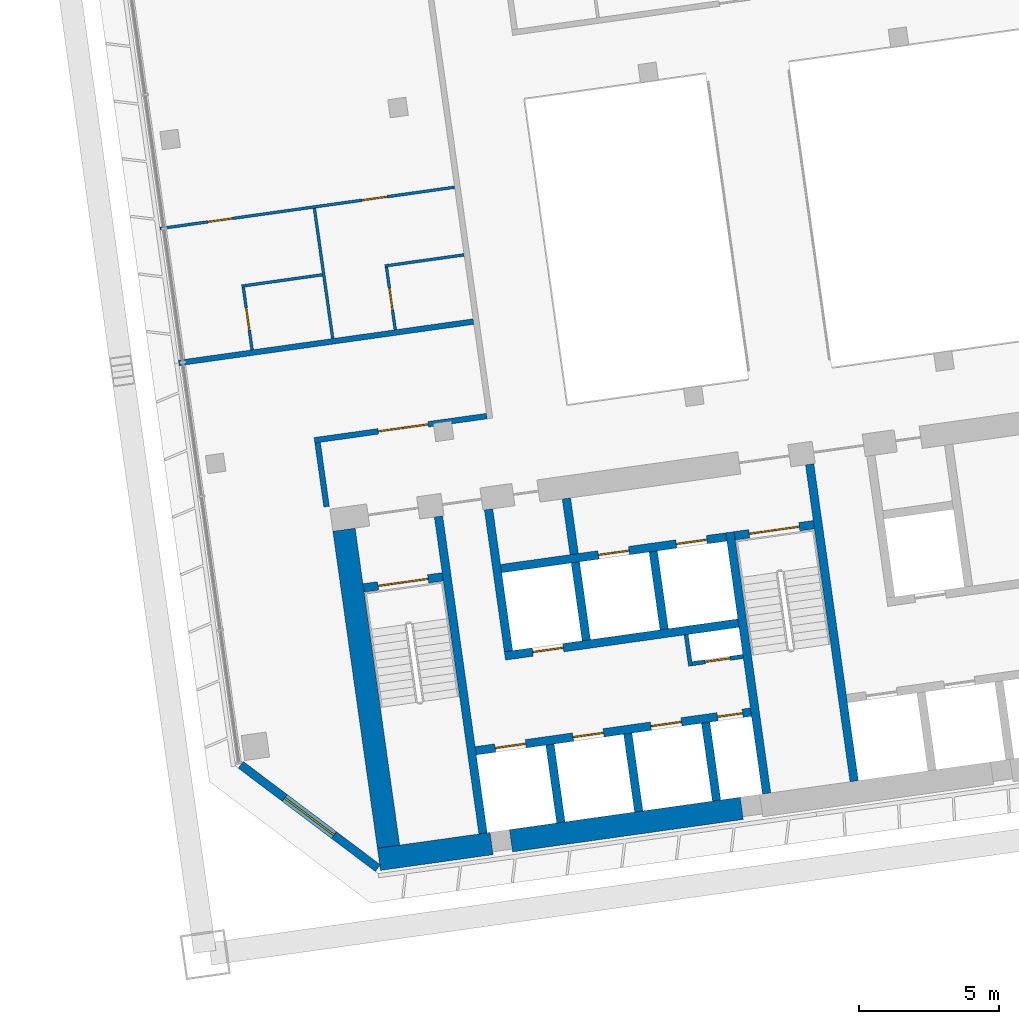
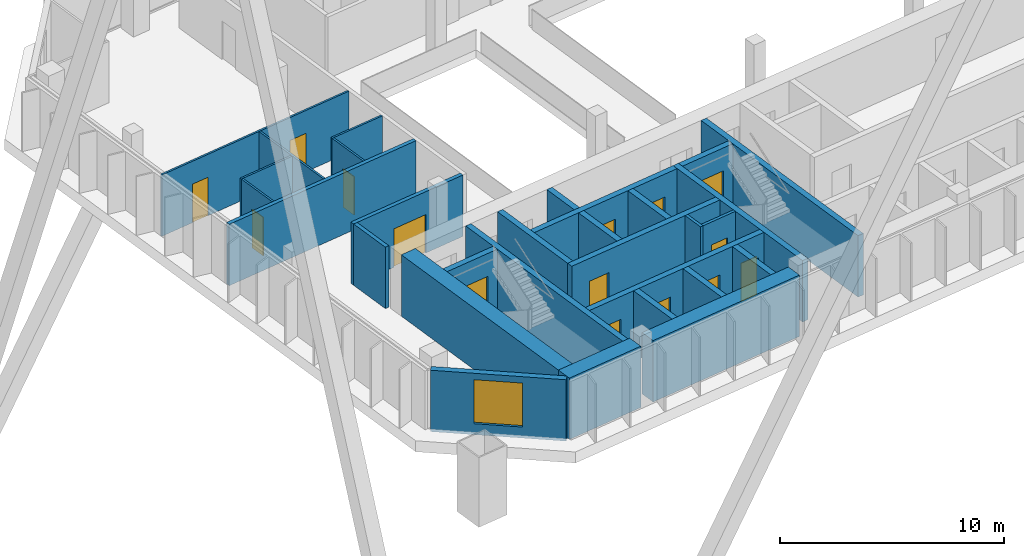
# One storey, part 34 of 41: 30 walls, 15 doors, 1 window, 16 openings.
"""IFC4 building model written with IfcOpenShell, lengths in metres."""

from ifc_helpers import new_model, si_unit, direction, frame, frame_2d, origin, place, context, subcontext, project, spatial, rectangle, extrude, material, layer, layer_set, type_object, element, fill, save


model = new_model("IFC4")

# Units and contexts
model_context = context("Model", 3, precision=1e-05, world=origin(), true_north=direction((0.0, 1.0)))
body_context = subcontext(model_context, "Body", "Model", "MODEL_VIEW")
ifc_project = project(units=[si_unit("LENGTHUNIT", "METRE"), si_unit("AREAUNIT", "SQUARE_METRE"), si_unit("VOLUMEUNIT", "CUBIC_METRE"), si_unit("PLANEANGLEUNIT", "RADIAN"), si_unit("MASSUNIT", "GRAM", prefix="KILO")], contexts=[model_context])

# Site, building, storey
site_placement = place(None, origin())
site = spatial("IfcSite", under=ifc_project, at=site_placement, CompositionType="ELEMENT")
building_placement = place(site_placement, origin())
building = spatial("IfcBuilding", under=site, at=building_placement, Name="Mirante Cascada Hotel Towers", CompositionType="ELEMENT")
storey_placement = place(building_placement, frame((0.0, 0.0, 125.3)))
storey = spatial("IfcBuildingStorey", under=building, at=storey_placement, Name="L28", CompositionType="ELEMENT", Elevation=125.3)

# Wall, opening, door
ifc_material_1 = material(Name="Fire-rated plasterboard on metal studs")
ifc_layer_1 = layer(ifc_material_1, 0.2)
ifc_layer_set_1 = layer_set([ifc_layer_1], Name="Compartment wall 200 EI 120")
wall_type_1 = type_object("IfcWallType", Name="Compartment wall 200 EI 120", PredefinedType="PARTITIONING", material=ifc_layer_set_1)
wall_1_placement = place(storey_placement, frame((34.8304, -4.7545, 0.0), z_axis=(0.0, 0.0, 1.0), x_axis=(0.9902695, 0.1391629, 0.0)))
wall_1 = element("IfcWall", 1, at=wall_1_placement, inside=storey, type_object=wall_type_1, Name="Wall 2-L28-03", PredefinedType="PARTITIONING", context=body_context, shape_type="SweptSolid", body=[
    extrude(rectangle(XDim=6.1999, YDim=0.2, at=frame_2d((3.1, 0.0))), origin(), (0.0, 0.0, 1.0), 3.35),
])
opening_1_placement = place(wall_1_placement, frame((2.3, 0.0, 0.0)))
opening_1 = element("IfcOpeningElement", 2, at=opening_1_placement, cuts=wall_1, Name="Opening D2-L28-01", PredefinedType="OPENING", context=body_context, shape_type="SweptSolid", body=[
    extrude(rectangle(XDim=1.8, YDim=2.1, at=frame_2d((0.9, 1.05))), frame((0.0, 0.1, 0.0), z_axis=(0.0, -1.0, 0.0), x_axis=(1.0, 0.0, 0.0)), (0.0, 0.0, 1.0), 0.2),
])
ifc_material_2 = material(Name="Fire-rated timber door leaf", Category="wood")
door_type_1 = type_object("IfcDoorType", Name="Suite double door DG2 1800x2100 EI 60", OperationType="DOUBLE_DOOR_SINGLE_SWING", PredefinedType="DOOR", material=ifc_material_2)
door_1_placement = place(opening_1_placement, origin())
door_1 = element("IfcDoor", 3, at=door_1_placement, inside=storey, type_object=door_type_1, Name="Door D2-L28-01", OperationType="DOUBLE_DOOR_SINGLE_SWING", OverallHeight=2.1, OverallWidth=1.8, PredefinedType="DOOR", context=body_context, shape_type="SweptSolid", body=[
    extrude(rectangle(XDim=0.895, YDim=2.1, at=frame_2d((0.4475, 1.05))), frame((0.0, 0.025, 0.0), z_axis=(0.0, -1.0, 0.0), x_axis=(1.0, 0.0, 0.0)), (0.0, 0.0, 1.0), 0.05),
    extrude(rectangle(XDim=0.895, YDim=2.1, at=frame_2d((1.3525, 1.05))), frame((0.0, 0.025, 0.0), z_axis=(0.0, -1.0, 0.0), x_axis=(1.0, 0.0, 0.0)), (0.0, 0.0, 1.0), 0.05),
])
fill(opening_1, door_1)

# Walls
wall_2_placement = place(storey_placement, frame((40.4968, -0.5248, 0.0), z_axis=(0.0, 0.0, 1.0), x_axis=(-0.9902684, -0.1391704, 0.0)))
element("IfcWall", 4, at=wall_2_placement, inside=storey, type_object=wall_type_1, Name="Wall 2-L28-04", PredefinedType="PARTITIONING", context=body_context, shape_type="SweptSolid", body=[
    extrude(rectangle(XDim=10.6, YDim=0.2, at=frame_2d((5.3, 0.0))), origin(), (0.0, 0.0, 1.0), 3.35),
])
wall_3_placement = place(storey_placement, frame((34.9433, -4.8397, 0.0), z_axis=(0.0, 0.0, 1.0), x_axis=(0.1391749, -0.9902678, 0.0)))
element("IfcWall", 5, at=wall_3_placement, inside=storey, type_object=wall_type_1, Name="Wall 2-L28-24", PredefinedType="PARTITIONING", context=body_context, shape_type="SweptSolid", body=[
    extrude(rectangle(XDim=2.3, YDim=0.2, at=frame_2d((1.15, 0.0))), origin(), (0.0, 0.0, 1.0), 3.35),
])
ifc_material_3 = material(Name="Masonry block", Category="masonry")
ifc_layer_2 = layer(ifc_material_3, 0.15)
ifc_layer_set_2 = layer_set([ifc_layer_2], Name="Core room partition 150 block EI 30")
wall_type_2 = type_object("IfcWallType", Name="Core room partition 150 block EI 30", PredefinedType="PARTITIONING", material=ifc_layer_set_2)
wall_4_placement = place(storey_placement, frame((48.2295, -12.793, 0.0), z_axis=(0.0, 0.0, 1.0), x_axis=(-0.1391935, 0.9902652, 0.0)))
element("IfcWall", 6, at=wall_4_placement, inside=storey, type_object=wall_type_2, Name="Core wall partition T2 L28 2", PredefinedType="PARTITIONING", context=body_context, shape_type="SweptSolid", body=[
    extrude(rectangle(XDim=1.1251, YDim=0.15, at=frame_2d((0.5626, 0.0))), origin(), (0.0, 0.0, 1.0), 3.35),
])

# Wall, opening, door
wall_5_placement = place(storey_placement, frame((48.2933, -12.7083, 0.0), z_axis=(0.0, 0.0, 1.0), x_axis=(0.990268, 0.1391734, 0.0)))
wall_5 = element("IfcWall", 7, at=wall_5_placement, inside=storey, type_object=wall_type_2, Name="Core wall partition T2 L28 3", PredefinedType="PARTITIONING", context=body_context, shape_type="SweptSolid", body=[
    extrude(rectangle(XDim=1.8251, YDim=0.15, at=frame_2d((0.9126, 0.0))), origin(), (0.0, 0.0, 1.0), 3.35),
])
opening_2_placement = place(wall_5_placement, frame((0.4625, 0.0, 0.0)))
opening_2 = element("IfcOpeningElement", 8, at=opening_2_placement, cuts=wall_5, Name="Opening D2-28-C23", PredefinedType="OPENING", context=body_context, shape_type="SweptSolid", body=[
    extrude(rectangle(XDim=0.9, YDim=2.1, at=frame_2d((0.45, 1.05))), frame((0.0, 0.075, 0.0), z_axis=(0.0, -1.0, 0.0), x_axis=(1.0, 0.0, 0.0)), (0.0, 0.0, 1.0), 0.15),
])
ifc_material_4 = material(Name="Hollow metal fire door leaf")
door_type_2 = type_object("IfcDoorType", Name="Fire door 900x2100 FD60", OperationType="NOTDEFINED", PredefinedType="DOOR", material=ifc_material_4)
door_2_placement = place(opening_2_placement, frame((0.9, 0.0, 0.0), z_axis=(0.0, 0.0, 1.0), x_axis=(-1.0, 0.0, 0.0)))
door_2 = element("IfcDoor", 9, at=door_2_placement, inside=storey, type_object=door_type_2, Name="Riser door T2 L28 23", OperationType="SINGLE_SWING_RIGHT", OverallHeight=2.1, OverallWidth=0.9, PredefinedType="DOOR", context=body_context, shape_type="SweptSolid", body=[
    extrude(rectangle(XDim=0.9, YDim=2.1, at=frame_2d((0.45, 1.05))), frame((0.0, 0.025, 0.0), z_axis=(0.0, -1.0, 0.0), x_axis=(1.0, 0.0, 0.0)), (0.0, 0.0, 1.0), 0.05),
])
fill(opening_2, door_2)

# Walls
ifc_material_5 = material(Name="Masonry block", Category="masonry")
ifc_layer_3 = layer(ifc_material_5, 0.3)
ifc_layer_set_3 = layer_set([ifc_layer_3], Name="Core wall 300 block EI 120")
wall_type_3 = type_object("IfcWallType", Name="Core wall 300 block EI 120", PredefinedType="PARTITIONING", material=ifc_layer_set_3)
wall_6_placement = place(storey_placement, frame((44.0843, -8.8061, 0.0), z_axis=(0.0, 0.0, 1.0), x_axis=(-0.1391951, 0.990265, 0.0)))
element("IfcWall", 10, at=wall_6_placement, inside=storey, type_object=wall_type_3, Name="Core wall partition T2 L28 1", PredefinedType="PARTITIONING", context=body_context, shape_type="SweptSolid", body=[
    extrude(rectangle(XDim=2.0001, YDim=0.3, at=frame_2d((1.0001, 0.0))), origin(), (0.0, 0.0, 1.0), 3.35),
])
ifc_material_6 = material(Name="Plasterboard on metal studs")
ifc_layer_4 = layer(ifc_material_6, 0.1)
ifc_layer_set_4 = layer_set([ifc_layer_4], Name="Partition 100")
wall_type_4 = type_object("IfcWallType", Name="Partition 100", PredefinedType="PARTITIONING", material=ifc_layer_set_4)
wall_7_placement = place(storey_placement, frame((32.2407, 0.7385, 0.0), z_axis=(0.0, 0.0, 1.0), x_axis=(0.9902683, 0.1391714, 0.0)))
element("IfcWall", 11, at=wall_7_placement, inside=storey, type_object=wall_type_4, Name="Wall 2-L28-05", PredefinedType="PARTITIONING", context=body_context, shape_type="SweptSolid", body=[
    extrude(rectangle(XDim=2.9, YDim=0.1, at=frame_2d((1.45, 0.0))), origin(), (0.0, 0.0, 1.0), 3.35),
])
wall_8_placement = place(storey_placement, frame((40.1628, 1.8519, 0.0), z_axis=(0.0, 0.0, 1.0), x_axis=(-0.9902649, -0.1391957, 0.0)))
element("IfcWall", 12, at=wall_8_placement, inside=storey, type_object=wall_type_4, Name="Wall 2-L28-06", PredefinedType="PARTITIONING", context=body_context, shape_type="SweptSolid", body=[
    extrude(rectangle(XDim=2.8499, YDim=0.1, at=frame_2d((1.425, 0.0))), origin(), (0.0, 0.0, 1.0), 3.35),
])

# Wall, openings, doors
wall_9_placement = place(storey_placement, frame((29.3273, 2.7863, 0.0), z_axis=(0.0, 0.0, 1.0), x_axis=(0.9902686, 0.1391691, 0.0)))
wall_9 = element("IfcWall", 13, at=wall_9_placement, inside=storey, type_object=wall_type_4, Name="Wall 2-L28-07", PredefinedType="PARTITIONING", context=body_context, shape_type="SweptSolid", body=[
    extrude(rectangle(XDim=10.6001, YDim=0.1, at=frame_2d((5.3, 0.0))), origin(), (0.0, 0.0, 1.0), 3.35),
])
opening_3_placement = place(wall_9_placement, frame((1.725, 0.0, 0.0)))
opening_3 = element("IfcOpeningElement", 14, at=opening_3_placement, cuts=wall_9, Name="Opening D2-L28-02", PredefinedType="OPENING", context=body_context, shape_type="SweptSolid", body=[
    extrude(rectangle(XDim=0.9, YDim=2.1, at=frame_2d((0.45, 1.05))), frame((0.0, 0.05, 0.0), z_axis=(0.0, -1.0, 0.0), x_axis=(1.0, 0.0, 0.0)), (0.0, 0.0, 1.0), 0.1),
])
opening_4_placement = place(wall_9_placement, frame((7.275, 0.0, 0.0)))
opening_4 = element("IfcOpeningElement", 15, at=opening_4_placement, cuts=wall_9, Name="Opening D2-L28-03", PredefinedType="OPENING", context=body_context, shape_type="SweptSolid", body=[
    extrude(rectangle(XDim=0.9, YDim=2.1, at=frame_2d((0.45, 1.05))), frame((0.0, 0.05, 0.0), z_axis=(0.0, -1.0, 0.0), x_axis=(1.0, 0.0, 0.0)), (0.0, 0.0, 1.0), 0.1),
])
ifc_material_7 = material(Name="Timber door leaf", Category="wood")
door_type_3 = type_object("IfcDoorType", Name="Room door DG3 900x2100", OperationType="SINGLE_SWING_LEFT", PredefinedType="DOOR", material=ifc_material_7)
door_3_placement = place(opening_3_placement, origin())
door_3 = element("IfcDoor", 16, at=door_3_placement, inside=storey, type_object=door_type_3, Name="Door D2-L28-02", OperationType="SINGLE_SWING_LEFT", OverallHeight=2.1, OverallWidth=0.9, PredefinedType="DOOR", context=body_context, shape_type="SweptSolid", body=[
    extrude(rectangle(XDim=0.9, YDim=2.1, at=frame_2d((0.45, 1.05))), frame((0.0, 0.025, 0.0), z_axis=(0.0, -1.0, 0.0), x_axis=(1.0, 0.0, 0.0)), (0.0, 0.0, 1.0), 0.05),
])
fill(opening_3, door_3)
door_4_placement = place(opening_4_placement, origin())
door_4 = element("IfcDoor", 17, at=door_4_placement, inside=storey, type_object=door_type_3, Name="Door D2-L28-03", OperationType="SINGLE_SWING_LEFT", OverallHeight=2.1, OverallWidth=0.9, PredefinedType="DOOR", context=body_context, shape_type="SweptSolid", body=[
    extrude(rectangle(XDim=0.9, YDim=2.1, at=frame_2d((0.45, 1.05))), frame((0.0, 0.025, 0.0), z_axis=(0.0, -1.0, 0.0), x_axis=(1.0, 0.0, 0.0)), (0.0, 0.0, 1.0), 0.05),
])
fill(opening_4, door_4)

# Wall, opening, door
wall_10_placement = place(storey_placement, frame((32.6103, -1.5322, 0.0), z_axis=(0.0, 0.0, 1.0), x_axis=(-0.1391561, 0.9902705, 0.0)))
wall_10 = element("IfcWall", 18, at=wall_10_placement, inside=storey, type_object=wall_type_4, Name="Wall 2-L28-23", PredefinedType="PARTITIONING", context=body_context, shape_type="SweptSolid", body=[
    extrude(rectangle(XDim=2.25, YDim=0.1, at=frame_2d((1.125, 0.0))), origin(), (0.0, 0.0, 1.0), 3.35),
])
opening_5_placement = place(wall_10_placement, frame((0.7, 0.0, 0.0)))
opening_5 = element("IfcOpeningElement", 19, at=opening_5_placement, cuts=wall_10, Name="Opening D2-L28-18", PredefinedType="OPENING", context=body_context, shape_type="SweptSolid", body=[
    extrude(rectangle(XDim=0.8, YDim=2.1, at=frame_2d((0.4, 1.05))), frame((0.0, 0.05, 0.0), z_axis=(0.0, -1.0, 0.0), x_axis=(1.0, 0.0, 0.0)), (0.0, 0.0, 1.0), 0.1),
])
ifc_material_8 = material(Name="Timber door leaf", Category="wood")
door_type_4 = type_object("IfcDoorType", Name="Bathroom door DG4 800x2100", OperationType="SINGLE_SWING_LEFT", PredefinedType="DOOR", material=ifc_material_8)
door_5_placement = place(opening_5_placement, frame((0.8, 0.0, 0.0), z_axis=(0.0, 0.0, 1.0), x_axis=(-1.0, 0.0, 0.0)))
door_5 = element("IfcDoor", 20, at=door_5_placement, inside=storey, type_object=door_type_4, Name="Door D2-L28-18", OperationType="SINGLE_SWING_RIGHT", OverallHeight=2.1, OverallWidth=0.8, PredefinedType="DOOR", context=body_context, shape_type="SweptSolid", body=[
    extrude(rectangle(XDim=0.8, YDim=2.1, at=frame_2d((0.4, 1.05))), frame((0.0, 0.025, 0.0), z_axis=(0.0, -1.0, 0.0), x_axis=(1.0, 0.0, 0.0)), (0.0, 0.0, 1.0), 0.05),
])
fill(opening_5, door_5)

# Wall
wall_11_placement = place(storey_placement, frame((34.8303, 3.5092, 0.0), z_axis=(0.0, 0.0, 1.0), x_axis=(0.139173, -0.9902681, 0.0)))
element("IfcWall", 21, at=wall_11_placement, inside=storey, type_object=wall_type_4, Name="Wall 2-L28-26", PredefinedType="PARTITIONING", context=body_context, shape_type="SweptSolid", body=[
    extrude(rectangle(XDim=4.6834, YDim=0.1, at=frame_2d((2.3417, 0.0))), origin(), (0.0, 0.0, 1.0), 3.35),
])

# Wall, opening, door
wall_12_placement = place(storey_placement, frame((37.7102, -0.8154, 0.0), z_axis=(0.0, 0.0, 1.0), x_axis=(-0.1391997, 0.9902643, 0.0)))
wall_12 = element("IfcWall", 22, at=wall_12_placement, inside=storey, type_object=wall_type_4, Name="Wall 2-L28-27", PredefinedType="PARTITIONING", context=body_context, shape_type="SweptSolid", body=[
    extrude(rectangle(XDim=2.25, YDim=0.1, at=frame_2d((1.125, 0.0))), origin(), (0.0, 0.0, 1.0), 3.35),
])
opening_6_placement = place(wall_12_placement, frame((0.7, 0.0, 0.0)))
opening_6 = element("IfcOpeningElement", 23, at=opening_6_placement, cuts=wall_12, Name="Opening D2-L28-20", PredefinedType="OPENING", context=body_context, shape_type="SweptSolid", body=[
    extrude(rectangle(XDim=0.8, YDim=2.1, at=frame_2d((0.4, 1.05))), frame((0.0, 0.05, 0.0), z_axis=(0.0, -1.0, 0.0), x_axis=(1.0, 0.0, 0.0)), (0.0, 0.0, 1.0), 0.1),
])
door_6_placement = place(opening_6_placement, frame((0.8, 0.0, 0.0), z_axis=(0.0, 0.0, 1.0), x_axis=(-1.0, 0.0, 0.0)))
door_6 = element("IfcDoor", 24, at=door_6_placement, inside=storey, type_object=door_type_4, Name="Door D2-L28-20", OperationType="SINGLE_SWING_RIGHT", OverallHeight=2.1, OverallWidth=0.8, PredefinedType="DOOR", context=body_context, shape_type="SweptSolid", body=[
    extrude(rectangle(XDim=0.8, YDim=2.1, at=frame_2d((0.4, 1.05))), frame((0.0, 0.025, 0.0), z_axis=(0.0, -1.0, 0.0), x_axis=(1.0, 0.0, 0.0)), (0.0, 0.0, 1.0), 0.05),
])
fill(opening_6, door_6)

# Wall, opening, window
ifc_material_9 = material(Name="Precast concrete C40/50", Category="concrete")
ifc_layer_5 = layer(ifc_material_9, 0.3)
ifc_layer_set_5 = layer_set([ifc_layer_5], Name="Precast concrete C40/50 cladding wall 300")
wall_type_5 = type_object("IfcWallType", Name="Precast concrete C40/50 cladding wall 300", PredefinedType="STANDARD", material=ifc_layer_set_5)
wall_13_placement = place(storey_placement, frame((32.2074, -16.3138, 0.0), z_axis=(0.0, 0.0, 1.0), x_axis=(0.7986362, -0.6018141, 0.0)))
wall_13 = element("IfcWall", 25, at=wall_13_placement, inside=storey, type_object=wall_type_5, Name="Corner cladding wall T2 L28 inner rear", PredefinedType="STANDARD", context=body_context, shape_type="SweptSolid", body=[
    extrude(rectangle(XDim=6.1157, YDim=0.3, at=frame_2d((3.0578, 0.0))), origin(), (0.0, 0.0, 1.0), 3.35),
])
opening_7_placement = place(wall_13_placement, frame((1.9578, 0.0, 0.6)))
opening_7 = element("IfcOpeningElement", 26, at=opening_7_placement, cuts=wall_13, Name="Opening W2-28-06", PredefinedType="OPENING", context=body_context, shape_type="SweptSolid", body=[
    extrude(rectangle(XDim=2.2, YDim=2.4, at=frame_2d((1.1, 1.2))), frame((0.0, 0.15, 0.0), z_axis=(0.0, -1.0, 0.0), x_axis=(1.0, 0.0, 0.0)), (0.0, 0.0, 1.0), 0.3),
])
ifc_material_10 = material(Name="Aluminium frame with clear double glazing", Category="aluminium")
window_type = type_object("IfcWindowType", Name="Corner suite window 2200x2400", PartitioningType="DOUBLE_PANEL_VERTICAL", PredefinedType="WINDOW", material=ifc_material_10)
window_placement = place(opening_7_placement, origin())
window = element("IfcWindow", 27, at=window_placement, inside=storey, type_object=window_type, Name="Window W2-28-06", OverallHeight=2.4, OverallWidth=2.2, PartitioningType="SINGLE_PANEL", PredefinedType="WINDOW", context=body_context, shape_type="SweptSolid", body=[
    extrude(rectangle(XDim=2.2, YDim=2.4, at=frame_2d((1.1, 1.2))), frame((0.0, 0.03, 0.0), z_axis=(0.0, -1.0, 0.0), x_axis=(1.0, 0.0, 0.0)), (0.0, 0.0, 1.0), 0.06),
])
fill(opening_7, window)

# Walls
ifc_material_11 = material(Name="Concrete C50/60", Category="concrete")
ifc_layer_6 = layer(ifc_material_11, 0.3)
ifc_layer_set_6 = layer_set([ifc_layer_6], Name="RC core wall 300 C50/60")
wall_type_6 = type_object("IfcWallType", Name="RC core wall 300 C50/60", PredefinedType="SHEAR", material=ifc_layer_set_6)
wall_14_placement = place(storey_placement, frame((40.8373, -18.7548, 0.0), z_axis=(0.0, 0.0, 1.0), x_axis=(-0.1391749, 0.9902678, 0.0)))
element("IfcWall", 28, at=wall_14_placement, inside=storey, type_object=wall_type_6, Name="Core wall T2:L28:5", PredefinedType="SHEAR", context=body_context, shape_type="SweptSolid", body=[
    extrude(rectangle(XDim=11.4, YDim=0.3, at=frame_2d((5.7, 0.0))), origin(), (0.0, 0.0, 1.0), 3.35),
])
wall_15_placement = place(storey_placement, frame((50.938, -17.3352, 0.0), z_axis=(0.0, 0.0, 1.0), x_axis=(-0.1391706, 0.9902684, 0.0)))
element("IfcWall", 29, at=wall_15_placement, inside=storey, type_object=wall_type_6, Name="Core wall T2:L28:6", PredefinedType="SHEAR", context=body_context, shape_type="SweptSolid", body=[
    extrude(rectangle(XDim=9.4, YDim=0.3, at=frame_2d((4.7, 0.0))), origin(), (0.0, 0.0, 1.0), 3.35),
])
wall_16_placement = place(storey_placement, frame((54.0574, -16.8968, 0.0), z_axis=(0.0, 0.0, 1.0), x_axis=(-0.1391761, 0.9902677, 0.0)))
element("IfcWall", 30, at=wall_16_placement, inside=storey, type_object=wall_type_6, Name="Core wall T2:L28:7", PredefinedType="SHEAR", context=body_context, shape_type="SweptSolid", body=[
    extrude(rectangle(XDim=11.3999, YDim=0.3, at=frame_2d((5.7, 0.0))), origin(), (0.0, 0.0, 1.0), 3.35),
])

# Wall, opening, door
wall_17_placement = place(storey_placement, frame((36.5791, -10.0123, 0.0), z_axis=(0.0, 0.0, 1.0), x_axis=(0.9902704, 0.1391564, 0.0)))
wall_17 = element("IfcWall", 31, at=wall_17_placement, inside=storey, type_object=wall_type_6, Name="Core wall T2:L28:9", PredefinedType="SHEAR", context=body_context, shape_type="SweptSolid", body=[
    extrude(rectangle(XDim=2.85, YDim=0.3, at=frame_2d((1.425, 0.0))), origin(), (0.0, 0.0, 1.0), 3.35),
])
opening_8_placement = place(wall_17_placement, frame((0.525, 0.0, 0.0)))
opening_8 = element("IfcOpeningElement", 32, at=opening_8_placement, cuts=wall_17, Name="Opening D2-28-C13", PredefinedType="OPENING", context=body_context, shape_type="SweptSolid", body=[
    extrude(rectangle(XDim=1.8, YDim=2.1, at=frame_2d((0.9, 1.05))), frame((0.0, 0.15, 0.0), z_axis=(0.0, -1.0, 0.0), x_axis=(1.0, 0.0, 0.0)), (0.0, 0.0, 1.0), 0.3),
])
ifc_material_12 = material(Name="Hollow metal fire door leaf")
door_type_5 = type_object("IfcDoorType", Name="Double fire door 1800x2100 FD60", OperationType="DOUBLE_DOOR_SINGLE_SWING", PredefinedType="DOOR", material=ifc_material_12)
door_7_placement = place(opening_8_placement, frame((1.8, 0.0, 0.0), z_axis=(0.0, 0.0, 1.0), x_axis=(-1.0, 0.0, 0.0)))
door_7 = element("IfcDoor", 33, at=door_7_placement, inside=storey, type_object=door_type_5, Name="Stair door T2 L28 13", OperationType="DOUBLE_DOOR_SINGLE_SWING", OverallHeight=2.1, OverallWidth=1.8, PredefinedType="DOOR", context=body_context, shape_type="SweptSolid", body=[
    extrude(rectangle(XDim=0.895, YDim=2.1, at=frame_2d((0.4475, 1.05))), frame((0.0, 0.025, 0.0), z_axis=(0.0, -1.0, 0.0), x_axis=(1.0, 0.0, 0.0)), (0.0, 0.0, 1.0), 0.05),
    extrude(rectangle(XDim=0.895, YDim=2.1, at=frame_2d((1.3525, 1.05))), frame((0.0, 0.025, 0.0), z_axis=(0.0, -1.0, 0.0), x_axis=(1.0, 0.0, 0.0)), (0.0, 0.0, 1.0), 0.05),
])
fill(opening_8, door_7)

wall_18_placement = place(storey_placement, frame((49.7992, -8.1544, 0.0), z_axis=(0.0, 0.0, 1.0), x_axis=(0.9902656, 0.1391909, 0.0)))
wall_18 = element("IfcWall", 34, at=wall_18_placement, inside=storey, type_object=wall_type_6, Name="Core wall T2:L28:10", PredefinedType="SHEAR", context=body_context, shape_type="SweptSolid", body=[
    extrude(rectangle(XDim=2.85, YDim=0.3, at=frame_2d((1.425, 0.0))), origin(), (0.0, 0.0, 1.0), 3.35),
])
opening_9_placement = place(wall_18_placement, frame((0.525, 0.0, 0.0)))
opening_9 = element("IfcOpeningElement", 35, at=opening_9_placement, cuts=wall_18, Name="Opening D2-28-C15", PredefinedType="OPENING", context=body_context, shape_type="SweptSolid", body=[
    extrude(rectangle(XDim=1.8, YDim=2.1, at=frame_2d((0.9, 1.05))), frame((0.0, 0.15, 0.0), z_axis=(0.0, -1.0, 0.0), x_axis=(1.0, 0.0, 0.0)), (0.0, 0.0, 1.0), 0.3),
])
door_8_placement = place(opening_9_placement, frame((1.8, 0.0, 0.0), z_axis=(0.0, 0.0, 1.0), x_axis=(-1.0, 0.0, 0.0)))
door_8 = element("IfcDoor", 36, at=door_8_placement, inside=storey, type_object=door_type_5, Name="Stair door T2 L28 15", OperationType="DOUBLE_DOOR_SINGLE_SWING", OverallHeight=2.1, OverallWidth=1.8, PredefinedType="DOOR", context=body_context, shape_type="SweptSolid", body=[
    extrude(rectangle(XDim=0.895, YDim=2.1, at=frame_2d((0.4475, 1.05))), frame((0.0, 0.025, 0.0), z_axis=(0.0, -1.0, 0.0), x_axis=(1.0, 0.0, 0.0)), (0.0, 0.0, 1.0), 0.05),
    extrude(rectangle(XDim=0.895, YDim=2.1, at=frame_2d((1.3525, 1.05))), frame((0.0, 0.025, 0.0), z_axis=(0.0, -1.0, 0.0), x_axis=(1.0, 0.0, 0.0)), (0.0, 0.0, 1.0), 0.05),
])
fill(opening_9, door_8)

# Wall, openings, doors
wall_19_placement = place(storey_placement, frame((40.5753, -15.8126, 0.0), z_axis=(0.0, 0.0, 1.0), x_axis=(0.9902682, 0.1391725, 0.0)))
wall_19 = element("IfcWall", 37, at=wall_19_placement, inside=storey, type_object=wall_type_6, Name="Core wall T2:L28:12", PredefinedType="SHEAR", context=body_context, shape_type="SweptSolid", body=[
    extrude(rectangle(XDim=9.8999, YDim=0.3, at=frame_2d((4.95, 0.0))), origin(), (0.0, 0.0, 1.0), 3.35),
])
opening_10_placement = place(wall_19_placement, frame((0.7, 0.0, 0.0)))
opening_10 = element("IfcOpeningElement", 38, at=opening_10_placement, cuts=wall_19, Name="Opening LD", PredefinedType="OPENING", context=body_context, shape_type="SweptSolid", body=[
    extrude(rectangle(XDim=1.1, YDim=2.1, at=frame_2d((0.55, 1.05))), frame((0.0, 0.15, 0.0), z_axis=(0.0, -1.0, 0.0), x_axis=(1.0, 0.0, 0.0)), (0.0, 0.0, 1.0), 0.3),
])
opening_11_placement = place(wall_19_placement, frame((3.5, 0.0, 0.0)))
opening_11 = element("IfcOpeningElement", 39, at=opening_11_placement, cuts=wall_19, Name="Opening LD", PredefinedType="OPENING", context=body_context, shape_type="SweptSolid", body=[
    extrude(rectangle(XDim=1.1, YDim=2.1, at=frame_2d((0.55, 1.05))), frame((0.0, 0.15, 0.0), z_axis=(0.0, -1.0, 0.0), x_axis=(1.0, 0.0, 0.0)), (0.0, 0.0, 1.0), 0.3),
])
opening_12_placement = place(wall_19_placement, frame((6.3, 0.0, 0.0)))
opening_12 = element("IfcOpeningElement", 40, at=opening_12_placement, cuts=wall_19, Name="Opening LD", PredefinedType="OPENING", context=body_context, shape_type="SweptSolid", body=[
    extrude(rectangle(XDim=1.1, YDim=2.1, at=frame_2d((0.55, 1.05))), frame((0.0, 0.15, 0.0), z_axis=(0.0, -1.0, 0.0), x_axis=(1.0, 0.0, 0.0)), (0.0, 0.0, 1.0), 0.3),
])
opening_13_placement = place(wall_19_placement, frame((8.7, 0.0, 0.0)))
opening_13 = element("IfcOpeningElement", 41, at=opening_13_placement, cuts=wall_19, Name="Opening D2-28-C22", PredefinedType="OPENING", context=body_context, shape_type="SweptSolid", body=[
    extrude(rectangle(XDim=0.9, YDim=2.1, at=frame_2d((0.45, 1.05))), frame((0.0, 0.15, 0.0), z_axis=(0.0, -1.0, 0.0), x_axis=(1.0, 0.0, 0.0)), (0.0, 0.0, 1.0), 0.3),
])
door_9_placement = place(opening_13_placement, frame((0.9, 0.0, 0.0), z_axis=(0.0, 0.0, 1.0), x_axis=(-1.0, 0.0, 0.0)))
door_9 = element("IfcDoor", 42, at=door_9_placement, inside=storey, type_object=door_type_2, Name="Riser door T2 L28 22", OperationType="SINGLE_SWING_RIGHT", OverallHeight=2.1, OverallWidth=0.9, PredefinedType="DOOR", context=body_context, shape_type="SweptSolid", body=[
    extrude(rectangle(XDim=0.9, YDim=2.1, at=frame_2d((0.45, 1.05))), frame((0.0, 0.025, 0.0), z_axis=(0.0, -1.0, 0.0), x_axis=(1.0, 0.0, 0.0)), (0.0, 0.0, 1.0), 0.05),
])
fill(opening_13, door_9)
ifc_material_13 = material(Name="Stainless steel", Category="steel")
door_type_6 = type_object("IfcDoorType", Name="Lift landing door 1100x2100 EI 120", OperationType="DOUBLE_DOOR_SLIDING", PredefinedType="DOOR", material=ifc_material_13)
door_10_placement = place(opening_10_placement, origin())
door_10 = element("IfcDoor", 43, at=door_10_placement, inside=storey, type_object=door_type_6, Name="Lift landing door HR2-1 L28", OperationType="DOUBLE_DOOR_SLIDING", OverallHeight=2.1, OverallWidth=1.1, PredefinedType="DOOR", context=body_context, shape_type="SweptSolid", body=[
    extrude(rectangle(XDim=0.545, YDim=2.1, at=frame_2d((0.2725, 1.05))), frame((0.0, 0.025, 0.0), z_axis=(0.0, -1.0, 0.0), x_axis=(1.0, 0.0, 0.0)), (0.0, 0.0, 1.0), 0.05),
    extrude(rectangle(XDim=0.545, YDim=2.1, at=frame_2d((0.8275, 1.05))), frame((0.0, 0.025, 0.0), z_axis=(0.0, -1.0, 0.0), x_axis=(1.0, 0.0, 0.0)), (0.0, 0.0, 1.0), 0.05),
])
fill(opening_10, door_10)
door_11_placement = place(opening_11_placement, origin())
door_11 = element("IfcDoor", 44, at=door_11_placement, inside=storey, type_object=door_type_6, Name="Lift landing door HR2-2 L28", OperationType="DOUBLE_DOOR_SLIDING", OverallHeight=2.1, OverallWidth=1.1, PredefinedType="DOOR", context=body_context, shape_type="SweptSolid", body=[
    extrude(rectangle(XDim=0.545, YDim=2.1, at=frame_2d((0.2725, 1.05))), frame((0.0, 0.025, 0.0), z_axis=(0.0, -1.0, 0.0), x_axis=(1.0, 0.0, 0.0)), (0.0, 0.0, 1.0), 0.05),
    extrude(rectangle(XDim=0.545, YDim=2.1, at=frame_2d((0.8275, 1.05))), frame((0.0, 0.025, 0.0), z_axis=(0.0, -1.0, 0.0), x_axis=(1.0, 0.0, 0.0)), (0.0, 0.0, 1.0), 0.05),
])
fill(opening_11, door_11)
door_12_placement = place(opening_12_placement, origin())
door_12 = element("IfcDoor", 45, at=door_12_placement, inside=storey, type_object=door_type_6, Name="Lift landing door HR2-3 L28", OperationType="DOUBLE_DOOR_SLIDING", OverallHeight=2.1, OverallWidth=1.1, PredefinedType="DOOR", context=body_context, shape_type="SweptSolid", body=[
    extrude(rectangle(XDim=0.545, YDim=2.1, at=frame_2d((0.2725, 1.05))), frame((0.0, 0.025, 0.0), z_axis=(0.0, -1.0, 0.0), x_axis=(1.0, 0.0, 0.0)), (0.0, 0.0, 1.0), 0.05),
    extrude(rectangle(XDim=0.545, YDim=2.1, at=frame_2d((0.8275, 1.05))), frame((0.0, 0.025, 0.0), z_axis=(0.0, -1.0, 0.0), x_axis=(1.0, 0.0, 0.0)), (0.0, 0.0, 1.0), 0.05),
])
fill(opening_12, door_12)

# Wall, opening, door
wall_20_placement = place(storey_placement, frame((41.6153, -12.435, 0.0), z_axis=(0.0, 0.0, 1.0), x_axis=(0.9902691, 0.139166, 0.0)))
wall_20 = element("IfcWall", 46, at=wall_20_placement, inside=storey, type_object=wall_type_6, Name="Core wall T2:L28:13", PredefinedType="SHEAR", context=body_context, shape_type="SweptSolid", body=[
    extrude(rectangle(XDim=8.4, YDim=0.3, at=frame_2d((4.2, 0.0))), origin(), (0.0, 0.0, 1.0), 3.35),
])
opening_14_placement = place(wall_20_placement, frame((1.0, 0.0, 0.0)))
opening_14 = element("IfcOpeningElement", 47, at=opening_14_placement, cuts=wall_20, Name="Opening LD", PredefinedType="OPENING", context=body_context, shape_type="SweptSolid", body=[
    extrude(rectangle(XDim=1.1, YDim=2.1, at=frame_2d((0.55, 1.05))), frame((0.0, 0.15, 0.0), z_axis=(0.0, -1.0, 0.0), x_axis=(1.0, 0.0, 0.0)), (0.0, 0.0, 1.0), 0.3),
])
door_13_placement = place(opening_14_placement, origin())
door_13 = element("IfcDoor", 48, at=door_13_placement, inside=storey, type_object=door_type_6, Name="Lift landing door HR2-4 L28", OperationType="DOUBLE_DOOR_SLIDING", OverallHeight=2.1, OverallWidth=1.1, PredefinedType="DOOR", context=body_context, shape_type="SweptSolid", body=[
    extrude(rectangle(XDim=0.545, YDim=2.1, at=frame_2d((0.2725, 1.05))), frame((0.0, 0.025, 0.0), z_axis=(0.0, -1.0, 0.0), x_axis=(1.0, 0.0, 0.0)), (0.0, 0.0, 1.0), 0.05),
    extrude(rectangle(XDim=0.545, YDim=2.1, at=frame_2d((0.8275, 1.05))), frame((0.0, 0.025, 0.0), z_axis=(0.0, -1.0, 0.0), x_axis=(1.0, 0.0, 0.0)), (0.0, 0.0, 1.0), 0.05),
])
fill(opening_14, door_13)

# Wall, openings, doors
wall_21_placement = place(storey_placement, frame((41.481, -9.3234, 0.0), z_axis=(0.0, 0.0, 1.0), x_axis=(0.9902679, 0.1391741, 0.0)))
wall_21 = element("IfcWall", 49, at=wall_21_placement, inside=storey, type_object=wall_type_6, Name="Core wall T2:L28:14", PredefinedType="SHEAR", context=body_context, shape_type="SweptSolid", body=[
    extrude(rectangle(XDim=8.0999, YDim=0.3, at=frame_2d((4.05, 0.0))), origin(), (0.0, 0.0, 1.0), 3.35),
])
opening_15_placement = place(wall_21_placement, frame((3.5, 0.0, 0.0)))
opening_15 = element("IfcOpeningElement", 50, at=opening_15_placement, cuts=wall_21, Name="Opening LD", PredefinedType="OPENING", context=body_context, shape_type="SweptSolid", body=[
    extrude(rectangle(XDim=1.1, YDim=2.1, at=frame_2d((0.55, 1.05))), frame((0.0, 0.15, 0.0), z_axis=(0.0, -1.0, 0.0), x_axis=(1.0, 0.0, 0.0)), (0.0, 0.0, 1.0), 0.3),
])
opening_16_placement = place(wall_21_placement, frame((6.3, 0.0, 0.0)))
opening_16 = element("IfcOpeningElement", 51, at=opening_16_placement, cuts=wall_21, Name="Opening LD", PredefinedType="OPENING", context=body_context, shape_type="SweptSolid", body=[
    extrude(rectangle(XDim=1.1, YDim=2.1, at=frame_2d((0.55, 1.05))), frame((0.0, 0.15, 0.0), z_axis=(0.0, -1.0, 0.0), x_axis=(1.0, 0.0, 0.0)), (0.0, 0.0, 1.0), 0.3),
])
door_14_placement = place(opening_15_placement, origin())
door_14 = element("IfcDoor", 52, at=door_14_placement, inside=storey, type_object=door_type_6, Name="Lift landing door FF3 L28", OperationType="DOUBLE_DOOR_SLIDING", OverallHeight=2.1, OverallWidth=1.1, PredefinedType="DOOR", context=body_context, shape_type="SweptSolid", body=[
    extrude(rectangle(XDim=0.545, YDim=2.1, at=frame_2d((0.2725, 1.05))), frame((0.0, 0.025, 0.0), z_axis=(0.0, -1.0, 0.0), x_axis=(1.0, 0.0, 0.0)), (0.0, 0.0, 1.0), 0.05),
    extrude(rectangle(XDim=0.545, YDim=2.1, at=frame_2d((0.8275, 1.05))), frame((0.0, 0.025, 0.0), z_axis=(0.0, -1.0, 0.0), x_axis=(1.0, 0.0, 0.0)), (0.0, 0.0, 1.0), 0.05),
])
fill(opening_15, door_14)
door_15_placement = place(opening_16_placement, origin())
door_15 = element("IfcDoor", 53, at=door_15_placement, inside=storey, type_object=door_type_6, Name="Lift landing door FF4 L28", OperationType="DOUBLE_DOOR_SLIDING", OverallHeight=2.1, OverallWidth=1.1, PredefinedType="DOOR", context=body_context, shape_type="SweptSolid", body=[
    extrude(rectangle(XDim=0.545, YDim=2.1, at=frame_2d((0.2725, 1.05))), frame((0.0, 0.025, 0.0), z_axis=(0.0, -1.0, 0.0), x_axis=(1.0, 0.0, 0.0)), (0.0, 0.0, 1.0), 0.05),
    extrude(rectangle(XDim=0.545, YDim=2.1, at=frame_2d((0.8275, 1.05))), frame((0.0, 0.025, 0.0), z_axis=(0.0, -1.0, 0.0), x_axis=(1.0, 0.0, 0.0)), (0.0, 0.0, 1.0), 0.05),
])
fill(opening_16, door_15)

# Walls
wall_22_placement = place(storey_placement, frame((43.61, -18.3651, 0.0), z_axis=(0.0, 0.0, 1.0), x_axis=(-0.1391459, 0.9902719, 0.0)))
element("IfcWall", 54, at=wall_22_placement, inside=storey, type_object=wall_type_6, Name="Core wall T2:L28:15", PredefinedType="SHEAR", context=body_context, shape_type="SweptSolid", body=[
    extrude(rectangle(XDim=2.7999, YDim=0.3, at=frame_2d((1.4, 0.0))), origin(), (0.0, 0.0, 1.0), 3.35),
])
wall_23_placement = place(storey_placement, frame((46.3828, -17.9754, 0.0), z_axis=(0.0, 0.0, 1.0), x_axis=(-0.139181, 0.990267, 0.0)))
element("IfcWall", 55, at=wall_23_placement, inside=storey, type_object=wall_type_6, Name="Core wall T2:L28:16", PredefinedType="SHEAR", context=body_context, shape_type="SweptSolid", body=[
    extrude(rectangle(XDim=2.8, YDim=0.3, at=frame_2d((1.4, 0.0))), origin(), (0.0, 0.0, 1.0), 3.35),
])
wall_24_placement = place(storey_placement, frame((49.1555, -17.5857, 0.0), z_axis=(0.0, 0.0, 1.0), x_axis=(-0.1391459, 0.9902719, 0.0)))
element("IfcWall", 56, at=wall_24_placement, inside=storey, type_object=wall_type_6, Name="Core wall T2:L28:17", PredefinedType="SHEAR", context=body_context, shape_type="SweptSolid", body=[
    extrude(rectangle(XDim=2.7999, YDim=0.3, at=frame_2d((1.4, 0.0))), origin(), (0.0, 0.0, 1.0), 3.35),
])
for number, where, z_axis, x_axis, name in (
    (57, (44.5157, -11.8759, 0.0), (0.0, 0.0, 1.0), (-0.139181, 0.990267, 0.0), "Core wall T2:L28:18"),
    (58, (47.2885, -11.4862, 0.0), (0.0, 0.0, 1.0), (-0.139181, 0.990267, 0.0), "Core wall T2:L28:19"),
):
    element("IfcWall", number, at=place(storey_placement, frame(where, z_axis=z_axis, x_axis=x_axis)), inside=storey, type_object=wall_type_6, Name=name, PredefinedType="SHEAR", context=body_context, shape_type="SweptSolid", body=[
        extrude(rectangle(XDim=2.8, YDim=0.3, at=frame_2d((1.4, 0.0))), origin(), (0.0, 0.0, 1.0), 3.35),
    ])
wall_25_placement = place(storey_placement, frame((41.743, -12.2656, 0.0), z_axis=(0.0, 0.0, 1.0), x_axis=(-0.1391755, 0.9902677, 0.0)))
element("IfcWall", 59, at=wall_25_placement, inside=storey, type_object=wall_type_6, Name="Core wall T2:L28:20", PredefinedType="SHEAR", context=body_context, shape_type="SweptSolid", body=[
    extrude(rectangle(XDim=5.1, YDim=0.3, at=frame_2d((2.55, 0.0))), origin(), (0.0, 0.0, 1.0), 3.35),
])
ifc_material_14 = material(Name="Concrete C50/60", Category="concrete")
ifc_layer_7 = layer(ifc_material_14, 0.8)
ifc_layer_set_7 = layer_set([ifc_layer_7], Name="RC core wall 800 C50/60")
wall_type_7 = type_object("IfcWallType", Name="RC core wall 800 C50/60", PredefinedType="SHEAR", material=ifc_layer_set_7)
wall_26_placement = place(storey_placement, frame((37.1299, -19.6798, 0.0), z_axis=(0.0, 0.0, 1.0), x_axis=(0.9902665, 0.1391845, 0.0)))
element("IfcWall", 60, at=wall_26_placement, inside=storey, type_object=wall_type_7, Name="Core wall T2:L28:1.1", PredefinedType="SHEAR", context=body_context, shape_type="SweptSolid", body=[
    extrude(rectangle(XDim=4.05, YDim=0.8, at=frame_2d((2.025, 0.0))), origin(), (0.0, 0.0, 1.0), 3.35),
])
wall_27_placement = place(storey_placement, frame((41.8337, -19.0187, 0.0), z_axis=(0.0, 0.0, 1.0), x_axis=(0.9902686, 0.1391692, 0.0)))
element("IfcWall", 61, at=wall_27_placement, inside=storey, type_object=wall_type_7, Name="Core wall T2:L28:1.2", PredefinedType="SHEAR", context=body_context, shape_type="SweptSolid", body=[
    extrude(rectangle(XDim=8.3, YDim=0.8, at=frame_2d((4.15, 0.0))), origin(), (0.0, 0.0, 1.0), 3.35),
])
wall_28_placement = place(storey_placement, frame((37.4704, -19.228, 0.0), z_axis=(0.0, 0.0, 1.0), x_axis=(-0.1391749, 0.9902678, 0.0)))
element("IfcWall", 62, at=wall_28_placement, inside=storey, type_object=wall_type_7, Name="Core wall T2:L28:3", PredefinedType="SHEAR", context=body_context, shape_type="SweptSolid", body=[
    extrude(rectangle(XDim=11.4, YDim=0.8, at=frame_2d((5.7, 0.0))), origin(), (0.0, 0.0, 1.0), 3.35),
])

save(model, "model.ifc")
